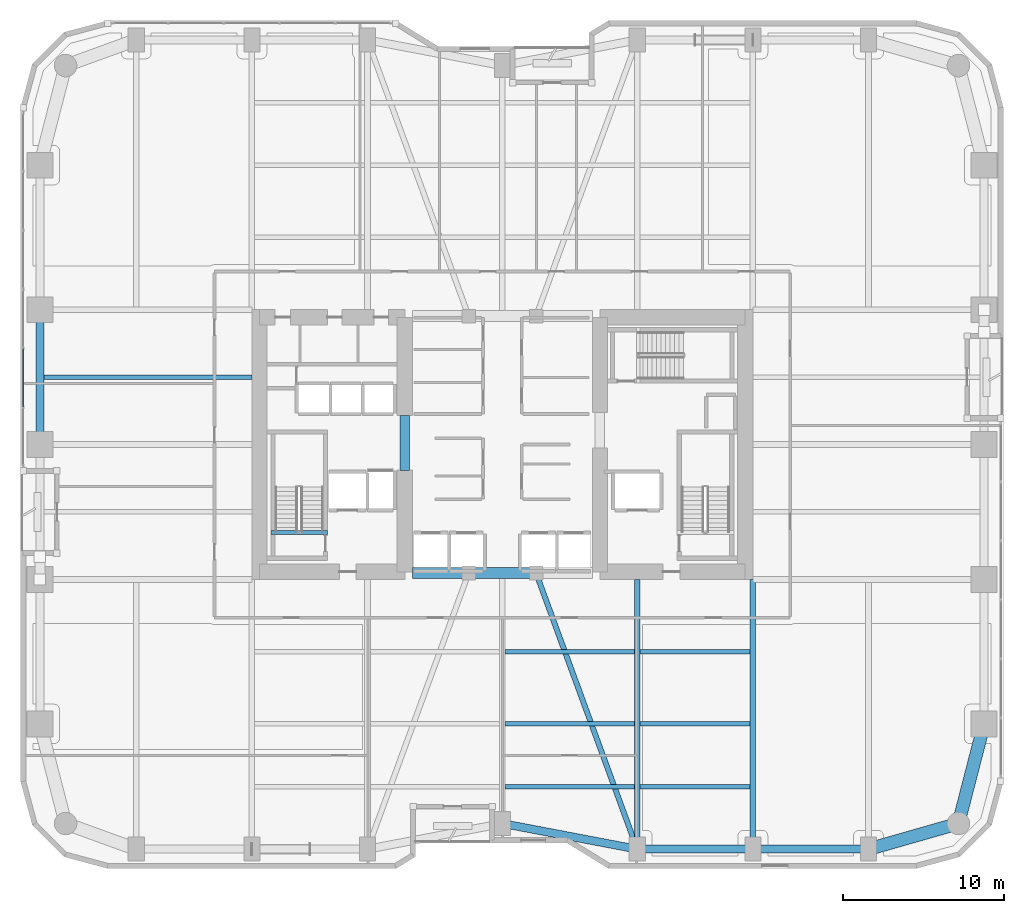
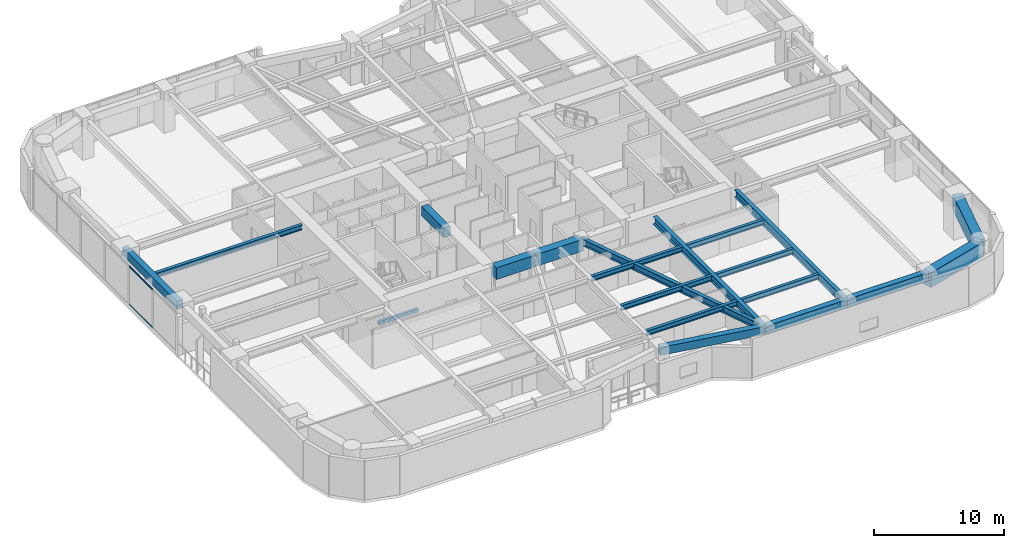
# One storey, part 3 of 28: 20 beams, 2 members, 1 element without a shape of its own.
"""IFC4 building model written with IfcOpenShell, lengths in metres."""

import ifcopenshell
import ifcopenshell.guid

model = None  # the IFC model being written
_history = None  # IfcOwnerHistory: only IFC2X3 demands one
_inside = {}  # id of a spatial element -> (the spatial element, [elements in it])
_under = {}  # id of a project, library or spatial element -> (it, [spatial elements below it])
_declared = {}  # id of a project -> (the project, [libraries it declares])
_typed = {}  # id of a type object -> (the type object, [elements of that type])
_made_of = {}  # id of a material, layer set ... -> (it, [elements and type objects made of it])


def new_model(schema):
    """Start an empty IFC model of exactly this schema.

    Asked for "IFC4X3", IfcOpenShell would pick the latest addendum, in which some entities
    have other attributes; the version numbers below select the first issue.
    IFC2X3 requires an IfcOwnerHistory on every rooted entity: one is made here for all.
    """
    global model, _history
    if schema == "IFC4X3":
        model = ifcopenshell.file(schema_version=(4, 3, 0, 0))
    else:
        model = ifcopenshell.file(schema=schema)
    _inside.clear()
    _under.clear()
    _declared.clear()
    _typed.clear()
    _made_of.clear()
    _history = None
    if model.schema == "IFC2X3":
        org = make("IfcOrganization", Name="unknown")
        user = make(
            "IfcPersonAndOrganization",
            ThePerson=make("IfcPerson", FamilyName="unknown"),
            TheOrganization=org,
        )
        app = make(
            "IfcApplication",
            ApplicationDeveloper=org,
            Version="unknown",
            ApplicationFullName="unknown",
            ApplicationIdentifier="unknown",
        )
        _history = make(
            "IfcOwnerHistory",
            OwningUser=user,
            OwningApplication=app,
            ChangeAction="ADDED",
            CreationDate=0,
        )
    return model


def make(cls, **values):
    """One entity of the class cls with the attributes given. An attribute that is None is left unset."""
    return model.create_entity(
        cls, **{name: value for name, value in values.items() if value is not None}
    )


def rooted(cls, **values):
    """An entity with a GlobalId (a new one), such as an element, a storey or a relation."""
    return make(cls, GlobalId=ifcopenshell.guid.new(), OwnerHistory=_history, **values)


def si_unit(unit_type, name, prefix=None):
    """IfcSIUnit, for example si_unit("LENGTHUNIT", "METRE", prefix="MILLI")."""
    return make("IfcSIUnit", UnitType=unit_type, Prefix=prefix, Name=name)


def assignment(units):
    """IfcUnitAssignment: the units of a project."""
    return None if units is None else make("IfcUnitAssignment", Units=units)


def point(xyz):
    """IfcCartesianPoint."""
    return None if xyz is None else make("IfcCartesianPoint", Coordinates=xyz)


def direction(xyz):
    """IfcDirection."""
    return None if xyz is None else make("IfcDirection", DirectionRatios=xyz)


def frame(location, z_axis=None, x_axis=None):
    """IfcAxis2Placement3D, a coordinate frame: its origin and axes. An axis left out is left unset."""
    return make(
        "IfcAxis2Placement3D",
        Location=point(location),
        Axis=direction(z_axis),
        RefDirection=direction(x_axis),
    )


def frame_2d(location, x_axis=None):
    """IfcAxis2Placement2D, a coordinate frame in the plane: its origin and x axis."""
    return make(
        "IfcAxis2Placement2D", Location=point(location), RefDirection=direction(x_axis)
    )


def origin():
    """The frame at (0, 0, 0) with its axes left unset."""
    return frame((0.0, 0.0, 0.0))


def origin_2d():
    """The frame at (0, 0) in the plane with its x axis left unset."""
    return frame_2d((0.0, 0.0))


def place(relative_to, where):
    """IfcLocalPlacement: puts the frame where relative to a parent placement (None: the world)."""
    return make(
        "IfcLocalPlacement", PlacementRelTo=relative_to, RelativePlacement=where
    )


def context(
    kind, dimensions, precision=None, world=None, true_north=None, identifier=None
):
    """IfcGeometricRepresentationContext, for example the 3D "Model" context."""
    return make(
        "IfcGeometricRepresentationContext",
        ContextIdentifier=identifier,
        ContextType=kind,
        CoordinateSpaceDimension=dimensions,
        Precision=precision,
        WorldCoordinateSystem=world,
        TrueNorth=true_north,
    )


def subcontext(parent, identifier, kind, view, scale=None):
    """IfcGeometricRepresentationSubContext, for example "Body" below "Model"."""
    return make(
        "IfcGeometricRepresentationSubContext",
        ContextIdentifier=identifier,
        ContextType=kind,
        ParentContext=parent,
        TargetScale=scale,
        TargetView=view,
    )


def project(units=None, contexts=None):
    """IfcProject with its units and contexts."""
    return rooted(
        "IfcProject",
        Name="project",
        RepresentationContexts=contexts,
        UnitsInContext=assignment(units),
    )


def spatial(cls, under=None, at=None, **own):
    """A site, building, storey or space (cls), placed at a placement, below another one or the project."""
    s = rooted(cls, ObjectPlacement=at, **own)
    if under is not None:
        _under.setdefault(under.id(), (under, []))[1].append(s)
    return s


def profile(cls, at=None, kind="AREA", **sizes):
    """A parametric profile (cls). Its sizes go by their IFC names, for example OverallWidth=200.0."""
    return make(cls, ProfileType=kind, Position=at, **sizes)


def rectangle(**sizes):
    """IfcRectangleProfileDef."""
    return profile("IfcRectangleProfileDef", **sizes)


def hollow_rectangle(**sizes):
    """IfcRectangleHollowProfileDef."""
    return profile("IfcRectangleHollowProfileDef", **sizes)


def i_section(**sizes):
    """IfcIShapeProfileDef."""
    return profile("IfcIShapeProfileDef", **sizes)


def extrude(swept, where, along, depth):
    """IfcExtrudedAreaSolid: the profile swept, set in the frame where, extruded along a direction by depth."""
    return make(
        "IfcExtrudedAreaSolid",
        SweptArea=swept,
        Position=where,
        ExtrudedDirection=direction(along),
        Depth=depth,
    )


def shape(context_of_items, identifier, shape_type, items):
    """IfcShapeRepresentation: the items that make up one representation, for example the "Body"."""
    return make(
        "IfcShapeRepresentation",
        ContextOfItems=context_of_items,
        RepresentationIdentifier=identifier,
        RepresentationType=shape_type,
        Items=items,
    )


def material(Name=None, Category=None):
    """IfcMaterial."""
    return make("IfcMaterial", Name=Name, Category=Category)


def layer(
    of_material, thickness, ventilated=None, Name=None, Category=None, Priority=None
):
    """IfcMaterialLayer: one layer of a wall or slab, of a material (None: an air gap)."""
    return make(
        "IfcMaterialLayer",
        Material=of_material,
        LayerThickness=thickness,
        IsVentilated=ventilated,
        Name=Name,
        Category=Category,
        Priority=Priority,
    )


def layer_set(layers, Name=None):
    """IfcMaterialLayerSet."""
    return make("IfcMaterialLayerSet", MaterialLayers=layers, LayerSetName=Name)


def material_profile(
    of_material, cross_section, Name=None, Category=None, Priority=None
):
    """IfcMaterialProfile: a cross section and its material."""
    return make(
        "IfcMaterialProfile",
        Name=Name,
        Material=of_material,
        Profile=cross_section,
        Priority=Priority,
        Category=Category,
    )


def profile_set(profiles, Name=None, composite=None):
    """IfcMaterialProfileSet."""
    return make(
        "IfcMaterialProfileSet",
        Name=Name,
        MaterialProfiles=profiles,
        CompositeProfile=composite,
    )


def made_of(thing, what):
    """Note that an element or type object is made of a material, layer set ...; save() writes the relation."""
    if what is not None:
        _made_of.setdefault(what.id(), (what, []))[1].append(thing)
    return thing


def type_object(cls, material=None, **own):
    """A type object (cls), such as IfcWallType, which elements share."""
    return made_of(rooted(cls, **own), material)


def element(
    cls,
    number,
    at=None,
    inside=None,
    cuts=None,
    type_object=None,
    material=None,
    context=None,
    identifier="Body",
    shape_type=None,
    held_by="IfcProductDefinitionShape",
    body=None,
    shapes=None,
    **own,
):
    """One element of the class cls, such as IfcWall. Its Tag is "e" and its number.

    at: its placement. inside: the storey or other place that contains it. cuts: it is an
    opening in that element (IfcRelVoidsElement). A single representation is given by context,
    identifier, shape_type and body (its items); several are given by shapes. held_by: the class
    of the entity that holds the representations. save() writes the other relations.
    """
    e = rooted(cls, Tag="e%d" % number, ObjectPlacement=at, **own)
    if body is not None:
        shapes = [shape(context, identifier, shape_type, body)]
    if shapes is not None:
        e.Representation = make(held_by, Representations=shapes)
    if inside is not None:
        _inside.setdefault(inside.id(), (inside, []))[1].append(e)
    if cuts is not None:
        rooted(
            "IfcRelVoidsElement", RelatingBuildingElement=cuts, RelatedOpeningElement=e
        )
    if type_object is not None:
        _typed.setdefault(type_object.id(), (type_object, []))[1].append(e)
    return made_of(e, material)


def aggregate(whole, parts):
    """IfcRelAggregates: a whole, such as a stair, and the parts it consists of."""
    return rooted("IfcRelAggregates", RelatingObject=whole, RelatedObjects=parts)


def save(model, path):
    """Write the relations noted so far, then the file.

    IfcRelAggregates (storeys below a building ...), IfcRelContainedInSpatialStructure (elements
    in a storey), IfcRelDefinesByType, IfcRelAssociatesMaterial and IfcRelDeclares: one each for
    every whole, place, type object, material and project.
    """
    for whole, parts in _under.values():
        aggregate(whole, parts)
    for where, things in _inside.values():
        rooted(
            "IfcRelContainedInSpatialStructure",
            RelatedElements=things,
            RelatingStructure=where,
        )
    for kind, things in _typed.values():
        rooted("IfcRelDefinesByType", RelatedObjects=things, RelatingType=kind)
    for what, things in _made_of.values():
        rooted("IfcRelAssociatesMaterial", RelatedObjects=things, RelatingMaterial=what)
    for by, libraries in _declared.values():
        rooted("IfcRelDeclares", RelatingContext=by, RelatedDefinitions=libraries)
    model.write(path)


model = new_model("IFC4")

# Units and contexts
model_context = context("Model", 3, precision=1e-05, world=origin(), true_north=direction((0.0, 1.0)))
body_context = subcontext(model_context, "Body", "Model", "MODEL_VIEW")
ifc_project = project(units=[si_unit("LENGTHUNIT", "METRE"), si_unit("AREAUNIT", "SQUARE_METRE"), si_unit("VOLUMEUNIT", "CUBIC_METRE"), si_unit("PLANEANGLEUNIT", "RADIAN"), si_unit("MASSUNIT", "GRAM", prefix="KILO")], contexts=[model_context])

# Site, building, storey
site_placement = place(None, origin())
site = spatial("IfcSite", under=ifc_project, at=site_placement, CompositionType="ELEMENT")
building_placement = place(site_placement, origin())
building = spatial("IfcBuilding", under=site, at=building_placement, Name="Kiyonajd Concourse Tower", CompositionType="ELEMENT")
storey_placement = place(building_placement, frame((0.0, 0.0, 33.300048828125)))
storey = spatial("IfcBuildingStorey", under=building, at=storey_placement, Name="L09", CompositionType="ELEMENT", Elevation=33.300048828125)

# Beams
ifc_material_1 = material(Name="Concrete C70/85", Category="concrete")
ifc_material_profile_1 = material_profile(ifc_material_1, rectangle(XDim=0.699951171875, YDim=1.10009765625, at=origin_2d()), Name="RCBM-700x1100")
ifc_profile_set_1 = profile_set([ifc_material_profile_1], Name="Concrete C70/85")
beam_type_1 = type_object("IfcBeamType", Name="BM-COUP-1100", PredefinedType="LINTEL", material=ifc_profile_set_1)
beam_1_placement = place(storey_placement, frame((42.39990234375, 28.0, 3.08984375), z_axis=(1.0, 0.0, 0.0), x_axis=(0.0, 1.0, 0.0)))
element("IfcBeam", 1, at=beam_1_placement, inside=storey, type_object=beam_type_1, Name="L09 Core Coupling Beam S1", PredefinedType="LINTEL", context=body_context, shape_type="SweptSolid", body=[
    extrude(rectangle(XDim=0.699951171875, YDim=1.10009765625, at=origin_2d()), origin(), (0.0, 0.0, 1.0), 3.5),
])
beam_2_placement = place(storey_placement, frame((45.89990234375, 28.0, 3.08984375), z_axis=(1.0, 0.0, 0.0), x_axis=(0.0, 1.0, 0.0)))
element("IfcBeam", 2, at=beam_2_placement, inside=storey, type_object=beam_type_1, Name="L09 Core Coupling Beam S2", PredefinedType="LINTEL", context=body_context, shape_type="SweptSolid", body=[
    extrude(rectangle(XDim=0.699951171875, YDim=1.10009765625, at=origin_2d()), origin(), (0.0, 0.0, 1.0), 4.2001953125),
])
ifc_material_2 = material(Name="Concrete C60/75", Category="concrete")
ifc_material_profile_2 = material_profile(ifc_material_2, rectangle(XDim=0.60009765625, YDim=0.89990234375, at=origin_2d()), Name="RCBM-600x900")
ifc_profile_set_2 = profile_set([ifc_material_profile_2], Name="Concrete C60/75")
beam_type_2 = type_object("IfcBeamType", Name="BM-COUP-900", PredefinedType="LINTEL", material=ifc_profile_set_2)
beam_3_placement = place(storey_placement, frame((41.925048828125, 34.39990234375, 3.08984375), z_axis=(0.0, 1.0, 0.0), x_axis=(-1.0, 0.0, 0.0)))
element("IfcBeam", 3, at=beam_3_placement, inside=storey, type_object=beam_type_2, Name="L09 West Core Throat Coupling Lintel", PredefinedType="LINTEL", context=body_context, shape_type="SweptSolid", body=[
    extrude(rectangle(XDim=0.60009765625, YDim=0.89990234375, at=origin_2d()), origin(), (0.0, 0.0, 1.0), 3.400146484375),
])
ifc_material_3 = material(Name="Steel ASTM A992 Grade 50", Category="steel")
ifc_material_profile_3 = material_profile(ifc_material_3, i_section(OverallWidth=0.280029296875, OverallDepth=0.462890625, WebThickness=0.0107421875, FlangeThickness=0.017333984375, at=origin_2d()), Name="W460X113")
ifc_profile_set_3 = profile_set([ifc_material_profile_3], Name="Steel ASTM A992 Grade 50")
beam_type_3 = type_object("IfcBeamType", Name="BM-JST-460A", PredefinedType="JOIST", material=ifc_profile_set_3)
beam_4_placement = place(storey_placement, frame((48.177490234375, 14.699951171875, 3.408447265625), z_axis=(1.0, 0.0, 0.0), x_axis=(0.0, 1.0, 0.0)))
element("IfcBeam", 4, at=beam_4_placement, inside=storey, type_object=beam_type_3, Name="L09 Secondary Floor Joist", PredefinedType="JOIST", context=body_context, shape_type="SweptSolid", body=[
    extrude(i_section(OverallWidth=0.280029296875, OverallDepth=0.462890625, WebThickness=0.0107421875, FlangeThickness=0.017333984375, at=origin_2d()), origin(), (0.0, 0.0, 1.0), 8.044921875),
])
beam_5_placement = place(storey_placement, frame((56.577392578125, 14.699951171875, 3.408447265625), z_axis=(1.0, 0.0, 0.0), x_axis=(0.0, 1.0, 0.0)))
element("IfcBeam", 5, at=beam_5_placement, inside=storey, type_object=beam_type_3, Name="L09 Secondary Floor Joist", PredefinedType="JOIST", context=body_context, shape_type="SweptSolid", body=[
    extrude(i_section(OverallWidth=0.280029296875, OverallDepth=0.462890625, WebThickness=0.0107421875, FlangeThickness=0.017333984375, at=origin_2d()), origin(), (0.0, 0.0, 1.0), 6.84521484375),
])
beam_6_placement = place(storey_placement, frame((48.177490234375, 18.60009765625, 3.408447265625), z_axis=(1.0, 0.0, 0.0), x_axis=(0.0, 1.0, 0.0)))
element("IfcBeam", 6, at=beam_6_placement, inside=storey, type_object=beam_type_3, Name="L09 Secondary Floor Joist", PredefinedType="JOIST", context=body_context, shape_type="SweptSolid", body=[
    extrude(i_section(OverallWidth=0.280029296875, OverallDepth=0.462890625, WebThickness=0.0107421875, FlangeThickness=0.017333984375, at=origin_2d()), origin(), (0.0, 0.0, 1.0), 8.044921875),
])
beam_7_placement = place(storey_placement, frame((56.577392578125, 18.60009765625, 3.408447265625), z_axis=(1.0, 0.0, 0.0), x_axis=(0.0, 1.0, 0.0)))
element("IfcBeam", 7, at=beam_7_placement, inside=storey, type_object=beam_type_3, Name="L09 Secondary Floor Joist", PredefinedType="JOIST", context=body_context, shape_type="SweptSolid", body=[
    extrude(i_section(OverallWidth=0.280029296875, OverallDepth=0.462890625, WebThickness=0.0107421875, FlangeThickness=0.017333984375, at=origin_2d()), origin(), (0.0, 0.0, 1.0), 6.84521484375),
])
beam_8_placement = place(storey_placement, frame((48.177490234375, 23.10009765625, 3.408447265625), z_axis=(1.0, 0.0, 0.0), x_axis=(0.0, 1.0, 0.0)))
element("IfcBeam", 8, at=beam_8_placement, inside=storey, type_object=beam_type_3, Name="L09 Secondary Floor Joist", PredefinedType="JOIST", context=body_context, shape_type="SweptSolid", body=[
    extrude(i_section(OverallWidth=0.280029296875, OverallDepth=0.462890625, WebThickness=0.0107421875, FlangeThickness=0.017333984375, at=origin_2d()), origin(), (0.0, 0.0, 1.0), 8.044921875),
])
beam_9_placement = place(storey_placement, frame((56.577392578125, 23.10009765625, 3.408447265625), z_axis=(1.0, 0.0, 0.0), x_axis=(0.0, 1.0, 0.0)))
element("IfcBeam", 9, at=beam_9_placement, inside=storey, type_object=beam_type_3, Name="L09 Secondary Floor Joist", PredefinedType="JOIST", context=body_context, shape_type="SweptSolid", body=[
    extrude(i_section(OverallWidth=0.280029296875, OverallDepth=0.462890625, WebThickness=0.0107421875, FlangeThickness=0.017333984375, at=origin_2d()), origin(), (0.0, 0.0, 1.0), 6.84521484375),
])
beam_10_placement = place(storey_placement, frame((19.449951171875, 40.199951171875, 3.408447265625), z_axis=(1.0, 0.0, 0.0), x_axis=(0.0, 1.0, 0.0)))
element("IfcBeam", 10, at=beam_10_placement, inside=storey, type_object=beam_type_3, Name="L09 West Secondary Floor Joist", PredefinedType="JOIST", context=body_context, shape_type="SweptSolid", body=[
    extrude(i_section(OverallWidth=0.280029296875, OverallDepth=0.462890625, WebThickness=0.0107421875, FlangeThickness=0.017333984375, at=origin_2d()), origin(), (0.0, 0.0, 1.0), 12.949951171875),
])
ifc_material_4 = material(Name="Concrete C50/60", Category="concrete")
ifc_material_profile_4 = material_profile(ifc_material_4, rectangle(XDim=0.239990234375, YDim=0.320068359375, at=origin_2d()), Name="RCBM-240x320")
ifc_profile_set_4 = profile_set([ifc_material_profile_4], Name="Concrete C50/60")
beam_type_4 = type_object("IfcBeamType", Name="BM-LNT-250", PredefinedType="LINTEL", material=ifc_profile_set_4)
beam_11_placement = place(storey_placement, frame((33.590087890625, 30.530029296875, -0.16015625), z_axis=(1.0, 0.0, 0.0), x_axis=(0.0, 1.0, 0.0)))
element("IfcBeam", 11, at=beam_11_placement, inside=storey, type_object=beam_type_4, Name="L09 Stair ST1 Threshold Support Beam", PredefinedType="LINTEL", context=body_context, shape_type="SweptSolid", body=[
    extrude(rectangle(XDim=0.239990234375, YDim=0.320068359375, at=origin_2d()), origin(), (0.0, 0.0, 1.0), 3.52001953125),
])
ifc_material_5 = material(Name="Precast concrete C50/60", Category="concrete")
ifc_material_profile_5 = material_profile(ifc_material_5, rectangle(XDim=0.5, YDim=0.75, at=origin_2d()), Name="RCBM-500x750")
ifc_profile_set_5 = profile_set([ifc_material_profile_5], Name="Precast concrete C50/60")
beam_type_5 = type_object("IfcBeamType", Name="BM-SPAN-RC", PredefinedType="SPANDREL", material=ifc_profile_set_5)
beam_12_placement = place(storey_placement, frame((48.0, 12.39990234375, 3.264892578125), z_axis=(0.982341315253, -0.187097675953, 0.0), x_axis=(0.187097675953, 0.982341315253, 0.0)))
element("IfcBeam", 12, at=beam_12_placement, inside=storey, type_object=beam_type_5, Name="L09 Perimeter Bundled Tube Spandrel", PredefinedType="SPANDREL", context=body_context, shape_type="SweptSolid", body=[
    extrude(rectangle(XDim=0.5, YDim=0.75, at=origin_2d()), origin(), (0.0, 0.0, 1.0), 8.55078125),
])
beam_13_placement = place(storey_placement, frame((56.39990234375, 10.800048828125, 3.264892578125), z_axis=(1.0, 0.0, 0.0), x_axis=(0.0, 1.0, 0.0)))
element("IfcBeam", 13, at=beam_13_placement, inside=storey, type_object=beam_type_5, Name="L09 Perimeter Bundled Tube Spandrel", PredefinedType="SPANDREL", context=body_context, shape_type="SweptSolid", body=[
    extrude(rectangle(XDim=0.5, YDim=0.75, at=origin_2d()), origin(), (0.0, 0.0, 1.0), 7.2001953125),
])
beam_14_placement = place(storey_placement, frame((63.60009765625, 10.800048828125, 3.264892578125), z_axis=(1.0, 0.0, 0.0), x_axis=(0.0, 1.0, 0.0)))
element("IfcBeam", 14, at=beam_14_placement, inside=storey, type_object=beam_type_5, Name="L09 Perimeter Bundled Tube Spandrel", PredefinedType="SPANDREL", context=body_context, shape_type="SweptSolid", body=[
    extrude(rectangle(XDim=0.5, YDim=0.75, at=origin_2d()), origin(), (0.0, 0.0, 1.0), 7.199951171875),
])
beam_15_placement = place(storey_placement, frame((19.199951171875, 44.39990234375, 3.264892578125), z_axis=(0.0, -1.0, 0.0), x_axis=(1.0, 0.0, 0.0)))
element("IfcBeam", 15, at=beam_15_placement, inside=storey, type_object=beam_type_5, Name="L09 Perimeter Bundled Tube Spandrel", PredefinedType="SPANDREL", context=body_context, shape_type="SweptSolid", body=[
    extrude(rectangle(XDim=0.5, YDim=0.75, at=origin_2d()), origin(), (0.0, 0.0, 1.0), 8.39990234375),
])
ifc_material_profile_6 = material_profile(ifc_material_3, i_section(OverallWidth=0.326904296875, OverallDepth=0.6220703125, WebThickness=0.015380859375, FlangeThickness=0.0244140625, at=origin_2d()), Name="W610X195")
ifc_profile_set_6 = profile_set([ifc_material_profile_6], Name="Steel ASTM A992 Grade 50")
beam_type_6 = type_object("IfcBeamType", Name="BM-TWR-610A", PredefinedType="BEAM", material=ifc_profile_set_6)
beam_16_placement = place(storey_placement, frame((50.10009765625, 28.0, 3.328857421875), z_axis=(0.343925269715, -0.938997022813, 0.0), x_axis=(0.938997022813, 0.343925269715, 0.0)))
element("IfcBeam", 16, at=beam_16_placement, inside=storey, type_object=beam_type_6, Name="L09 Core Tie Girder", PredefinedType="BEAM", context=body_context, shape_type="SweptSolid", body=[
    extrude(i_section(OverallWidth=0.326904296875, OverallDepth=0.6220703125, WebThickness=0.015380859375, FlangeThickness=0.0244140625, at=origin_2d()), origin(), (0.0, 0.0, 1.0), 18.3173828125),
])
ifc_material_profile_7 = material_profile(ifc_material_3, i_section(OverallWidth=0.35498046875, OverallDepth=0.695068359375, WebThickness=0.015380859375, FlangeThickness=0.02490234375, at=origin_2d()), Name="W690X217")
ifc_profile_set_7 = profile_set([ifc_material_profile_7], Name="Steel ASTM A992 Grade 50")
beam_type_7 = type_object("IfcBeamType", Name="BM-TWR-690", PredefinedType="BEAM", material=ifc_profile_set_7)
for number, where, z_axis, x_axis, name in (
    (17, (56.39990234375, 10.800048828125, 3.29248046875), (0.0, 1.0, 0.0), (-1.0, 0.0, 0.0), "L09 South Lease Girder"),
    (18, (63.60009765625, 10.800048828125, 3.29248046875), (0.0, 1.0, 0.0), (-1.0, 0.0, 0.0), "L09 South Lease Girder"),
):
    element("IfcBeam", number, at=place(storey_placement, frame(where, z_axis=z_axis, x_axis=x_axis)), inside=storey, type_object=beam_type_7, Name=name, PredefinedType="BEAM", context=body_context, shape_type="SweptSolid", body=[
        extrude(i_section(OverallWidth=0.35498046875, OverallDepth=0.695068359375, WebThickness=0.015380859375, FlangeThickness=0.02490234375, at=origin_2d()), origin(), (0.0, 0.0, 1.0), 16.800048828125),
    ])
ifc_material_profile_8 = material_profile(ifc_material_2, rectangle(XDim=0.800048828125, YDim=1.39990234375, at=origin_2d()), Name="RCBM-800x1400")
ifc_profile_set_8 = profile_set([ifc_material_profile_8], Name="Concrete C60/75")
beam_type_8 = type_object("IfcBeamType", Name="BM-XFER-RC", PredefinedType="BEAM", material=ifc_profile_set_8)
beam_17_placement = place(storey_placement, frame((70.800048828125, 10.800048828125, 2.93994140625), z_axis=(0.961528693205, 0.274704517878, 0.0), x_axis=(-0.274704517878, 0.961528693205, 0.0)))
element("IfcBeam", 19, at=beam_17_placement, inside=storey, type_object=beam_type_8, Name="L09 Perimeter Bundled Tube Spandrel", PredefinedType="BEAM", context=body_context, shape_type="SweptSolid", body=[
    extrude(rectangle(XDim=0.800048828125, YDim=1.39990234375, at=origin_2d()), origin(), (0.0, 0.0, 1.0), 5.823974609375),
])
beam_18_placement = place(storey_placement, frame((76.39990234375, 12.39990234375, 2.93994140625), z_axis=(0.249884937687, 0.968275538221, 0.0), x_axis=(-0.968275538221, 0.249884937687, 0.0)))
element("IfcBeam", 20, at=beam_18_placement, inside=storey, type_object=beam_type_8, Name="L09 Perimeter Bundled Tube Spandrel", PredefinedType="BEAM", context=body_context, shape_type="SweptSolid", body=[
    extrude(rectangle(XDim=0.800048828125, YDim=1.39990234375, at=origin_2d()), origin(), (0.0, 0.0, 1.0), 6.4033203125),
])

# Curtain wall, members
ifc_material_6 = material(Name="Thermally Broken Anodised Aluminium", Category="aluminium")
ifc_layer = layer(ifc_material_6, 0.179931640625)
ifc_layer_set = layer_set([ifc_layer], Name="Thermally Broken Anodised Aluminium")
curtain_wall_type = type_object("IfcCurtainWallType", Name="CW-SYS-02", PredefinedType="NOTDEFINED", material=ifc_layer_set)
curtain_wall_placement = place(storey_placement, origin())
curtain_wall = element("IfcCurtainWall", 21, at=curtain_wall_placement, inside=storey, type_object=curtain_wall_type, Name="L09 Unitised Curtain Wall CW2", PredefinedType="NOTDEFINED")
ifc_material_profile_9 = material_profile(ifc_material_6, hollow_rectangle(XDim=0.06494140625, YDim=0.139892578125, WallThickness=0.00390625, at=origin_2d()), Name="TRAN-65x140")
ifc_profile_set_9 = profile_set([ifc_material_profile_9], Name="Thermally Broken Anodised Aluminium")
member_type = type_object("IfcMemberType", Name="MB-CW-TRAN1", PredefinedType="USERDEFINED", material=ifc_profile_set_9)
member_1_placement = place(storey_placement, frame((18.159912109375, 38.355712890625, 0.032470703125), z_axis=(0.0, 1.0, 0.0), x_axis=(-1.0, 0.0, 0.0)))
member_1 = element("IfcMember", 22, at=member_1_placement, type_object=member_type, Name="CW2 transom 2.1", ObjectType="TRANSOM", PredefinedType="USERDEFINED", context=body_context, shape_type="SweptSolid", body=[
    extrude(hollow_rectangle(XDim=0.06494140625, YDim=0.139892578125, WallThickness=0.00390625, at=origin_2d()), origin(), (0.0, 0.0, 1.0), 3.608154296875),
])
member_2_placement = place(storey_placement, frame((18.159912109375, 38.355712890625, 3.607421875), z_axis=(0.0, 1.0, 0.0), x_axis=(-1.0, 0.0, 0.0)))
member_2 = element("IfcMember", 23, at=member_2_placement, type_object=member_type, Name="CW2 transom 2.2", ObjectType="TRANSOM", PredefinedType="USERDEFINED", context=body_context, shape_type="SweptSolid", body=[
    extrude(hollow_rectangle(XDim=0.06494140625, YDim=0.139892578125, WallThickness=0.00390625, at=origin_2d()), origin(), (0.0, 0.0, 1.0), 3.608154296875),
])
aggregate(curtain_wall, [member_1, member_2])

save(model, "model.ifc")
